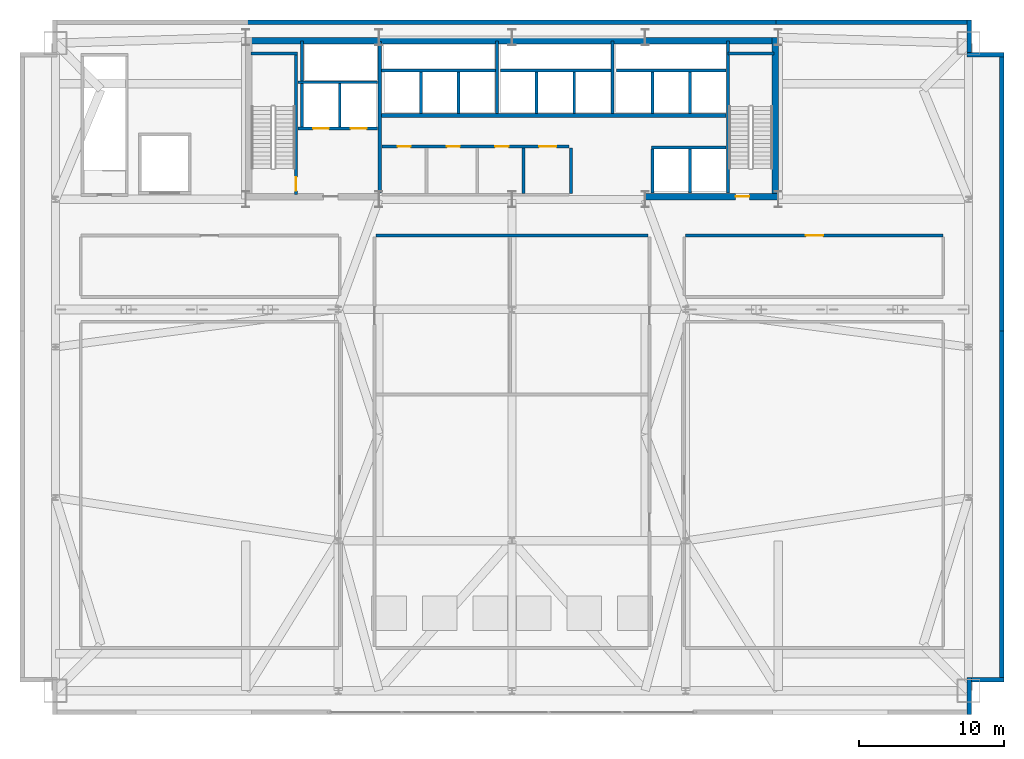
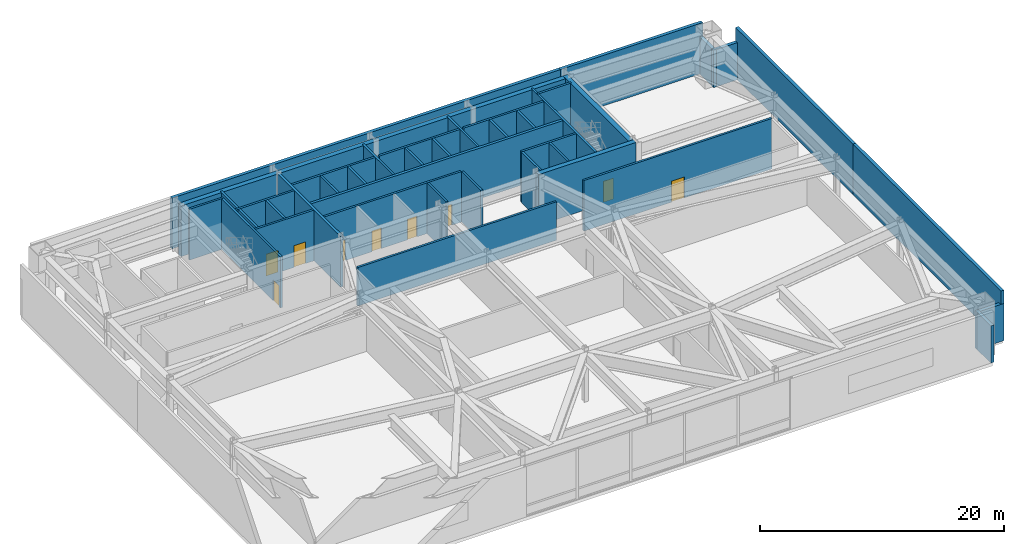
# One storey, part 13 of 16: 40 walls, 9 doors, 9 openings.
"""IFC4 building model written with IfcOpenShell, lengths in metres."""

import ifcopenshell
import ifcopenshell.guid

model = None  # the IFC model being written
_history = None  # IfcOwnerHistory: only IFC2X3 demands one
_inside = {}  # id of a spatial element -> (the spatial element, [elements in it])
_under = {}  # id of a project, library or spatial element -> (it, [spatial elements below it])
_declared = {}  # id of a project -> (the project, [libraries it declares])
_typed = {}  # id of a type object -> (the type object, [elements of that type])
_made_of = {}  # id of a material, layer set ... -> (it, [elements and type objects made of it])


def new_model(schema):
    """Start an empty IFC model of exactly this schema.

    Asked for "IFC4X3", IfcOpenShell would pick the latest addendum, in which some entities
    have other attributes; the version numbers below select the first issue.
    IFC2X3 requires an IfcOwnerHistory on every rooted entity: one is made here for all.
    """
    global model, _history
    if schema == "IFC4X3":
        model = ifcopenshell.file(schema_version=(4, 3, 0, 0))
    else:
        model = ifcopenshell.file(schema=schema)
    _inside.clear()
    _under.clear()
    _declared.clear()
    _typed.clear()
    _made_of.clear()
    _history = None
    if model.schema == "IFC2X3":
        org = make("IfcOrganization", Name="unknown")
        user = make(
            "IfcPersonAndOrganization",
            ThePerson=make("IfcPerson", FamilyName="unknown"),
            TheOrganization=org,
        )
        app = make(
            "IfcApplication",
            ApplicationDeveloper=org,
            Version="unknown",
            ApplicationFullName="unknown",
            ApplicationIdentifier="unknown",
        )
        _history = make(
            "IfcOwnerHistory",
            OwningUser=user,
            OwningApplication=app,
            ChangeAction="ADDED",
            CreationDate=0,
        )
    return model


def make(cls, **values):
    """One entity of the class cls with the attributes given. An attribute that is None is left unset."""
    return model.create_entity(
        cls, **{name: value for name, value in values.items() if value is not None}
    )


def rooted(cls, **values):
    """An entity with a GlobalId (a new one), such as an element, a storey or a relation."""
    return make(cls, GlobalId=ifcopenshell.guid.new(), OwnerHistory=_history, **values)


def si_unit(unit_type, name, prefix=None):
    """IfcSIUnit, for example si_unit("LENGTHUNIT", "METRE", prefix="MILLI")."""
    return make("IfcSIUnit", UnitType=unit_type, Prefix=prefix, Name=name)


def assignment(units):
    """IfcUnitAssignment: the units of a project."""
    return None if units is None else make("IfcUnitAssignment", Units=units)


def point(xyz):
    """IfcCartesianPoint."""
    return None if xyz is None else make("IfcCartesianPoint", Coordinates=xyz)


def direction(xyz):
    """IfcDirection."""
    return None if xyz is None else make("IfcDirection", DirectionRatios=xyz)


def frame(location, z_axis=None, x_axis=None):
    """IfcAxis2Placement3D, a coordinate frame: its origin and axes. An axis left out is left unset."""
    return make(
        "IfcAxis2Placement3D",
        Location=point(location),
        Axis=direction(z_axis),
        RefDirection=direction(x_axis),
    )


def frame_2d(location, x_axis=None):
    """IfcAxis2Placement2D, a coordinate frame in the plane: its origin and x axis."""
    return make(
        "IfcAxis2Placement2D", Location=point(location), RefDirection=direction(x_axis)
    )


def origin():
    """The frame at (0, 0, 0) with its axes left unset."""
    return frame((0.0, 0.0, 0.0))


def place(relative_to, where):
    """IfcLocalPlacement: puts the frame where relative to a parent placement (None: the world)."""
    return make(
        "IfcLocalPlacement", PlacementRelTo=relative_to, RelativePlacement=where
    )


def context(
    kind, dimensions, precision=None, world=None, true_north=None, identifier=None
):
    """IfcGeometricRepresentationContext, for example the 3D "Model" context."""
    return make(
        "IfcGeometricRepresentationContext",
        ContextIdentifier=identifier,
        ContextType=kind,
        CoordinateSpaceDimension=dimensions,
        Precision=precision,
        WorldCoordinateSystem=world,
        TrueNorth=true_north,
    )


def subcontext(parent, identifier, kind, view, scale=None):
    """IfcGeometricRepresentationSubContext, for example "Body" below "Model"."""
    return make(
        "IfcGeometricRepresentationSubContext",
        ContextIdentifier=identifier,
        ContextType=kind,
        ParentContext=parent,
        TargetScale=scale,
        TargetView=view,
    )


def project(units=None, contexts=None):
    """IfcProject with its units and contexts."""
    return rooted(
        "IfcProject",
        Name="project",
        RepresentationContexts=contexts,
        UnitsInContext=assignment(units),
    )


def spatial(cls, under=None, at=None, **own):
    """A site, building, storey or space (cls), placed at a placement, below another one or the project."""
    s = rooted(cls, ObjectPlacement=at, **own)
    if under is not None:
        _under.setdefault(under.id(), (under, []))[1].append(s)
    return s


def profile(cls, at=None, kind="AREA", **sizes):
    """A parametric profile (cls). Its sizes go by their IFC names, for example OverallWidth=200.0."""
    return make(cls, ProfileType=kind, Position=at, **sizes)


def rectangle(**sizes):
    """IfcRectangleProfileDef."""
    return profile("IfcRectangleProfileDef", **sizes)


def extrude(swept, where, along, depth):
    """IfcExtrudedAreaSolid: the profile swept, set in the frame where, extruded along a direction by depth."""
    return make(
        "IfcExtrudedAreaSolid",
        SweptArea=swept,
        Position=where,
        ExtrudedDirection=direction(along),
        Depth=depth,
    )


def shape(context_of_items, identifier, shape_type, items):
    """IfcShapeRepresentation: the items that make up one representation, for example the "Body"."""
    return make(
        "IfcShapeRepresentation",
        ContextOfItems=context_of_items,
        RepresentationIdentifier=identifier,
        RepresentationType=shape_type,
        Items=items,
    )


def source(mapping_origin, context_of_items, identifier, shape_type, items):
    """IfcRepresentationMap: a shape defined once, which mapped items show again and again."""
    return make(
        "IfcRepresentationMap",
        MappingOrigin=mapping_origin,
        MappedRepresentation=shape(context_of_items, identifier, shape_type, items),
    )


def transform(
    local_origin,
    x_axis=None,
    y_axis=None,
    z_axis=None,
    scale=None,
    scale2=None,
    scale3=None,
    uniform=True,
):
    """IfcCartesianTransformationOperator3D, or its non-uniform kind. x_axis, y_axis, z_axis: its Axis1, 2, 3."""
    if uniform:
        return make(
            "IfcCartesianTransformationOperator3D",
            Axis1=direction(x_axis),
            Axis2=direction(y_axis),
            LocalOrigin=point(local_origin),
            Scale=scale,
            Axis3=direction(z_axis),
        )
    return make(
        "IfcCartesianTransformationOperator3DnonUniform",
        Axis1=direction(x_axis),
        Axis2=direction(y_axis),
        LocalOrigin=point(local_origin),
        Scale=scale,
        Axis3=direction(z_axis),
        Scale2=scale2,
        Scale3=scale3,
    )


def mapped(mapping_source, mapping_target):
    """IfcMappedItem: shows the shape of a source again, moved by a transform."""
    return make(
        "IfcMappedItem", MappingSource=mapping_source, MappingTarget=mapping_target
    )


def material(Name=None, Category=None):
    """IfcMaterial."""
    return make("IfcMaterial", Name=Name, Category=Category)


def layer(
    of_material, thickness, ventilated=None, Name=None, Category=None, Priority=None
):
    """IfcMaterialLayer: one layer of a wall or slab, of a material (None: an air gap)."""
    return make(
        "IfcMaterialLayer",
        Material=of_material,
        LayerThickness=thickness,
        IsVentilated=ventilated,
        Name=Name,
        Category=Category,
        Priority=Priority,
    )


def layer_set(layers, Name=None):
    """IfcMaterialLayerSet."""
    return make("IfcMaterialLayerSet", MaterialLayers=layers, LayerSetName=Name)


def made_of(thing, what):
    """Note that an element or type object is made of a material, layer set ...; save() writes the relation."""
    if what is not None:
        _made_of.setdefault(what.id(), (what, []))[1].append(thing)
    return thing


def type_object(cls, material=None, **own):
    """A type object (cls), such as IfcWallType, which elements share."""
    return made_of(rooted(cls, **own), material)


def type_shapes(of_type, sources):
    """Give a type object the sources (RepresentationMaps) that its elements show as mapped items."""
    of_type.RepresentationMaps = sources


def element(
    cls,
    number,
    at=None,
    inside=None,
    cuts=None,
    type_object=None,
    material=None,
    context=None,
    identifier="Body",
    shape_type=None,
    held_by="IfcProductDefinitionShape",
    body=None,
    shapes=None,
    **own,
):
    """One element of the class cls, such as IfcWall. Its Tag is "e" and its number.

    at: its placement. inside: the storey or other place that contains it. cuts: it is an
    opening in that element (IfcRelVoidsElement). A single representation is given by context,
    identifier, shape_type and body (its items); several are given by shapes. held_by: the class
    of the entity that holds the representations. save() writes the other relations.
    """
    e = rooted(cls, Tag="e%d" % number, ObjectPlacement=at, **own)
    if body is not None:
        shapes = [shape(context, identifier, shape_type, body)]
    if shapes is not None:
        e.Representation = make(held_by, Representations=shapes)
    if inside is not None:
        _inside.setdefault(inside.id(), (inside, []))[1].append(e)
    if cuts is not None:
        rooted(
            "IfcRelVoidsElement", RelatingBuildingElement=cuts, RelatedOpeningElement=e
        )
    if type_object is not None:
        _typed.setdefault(type_object.id(), (type_object, []))[1].append(e)
    return made_of(e, material)


def fill(opening, filler):
    """IfcRelFillsElement: the door or window that sits in an opening."""
    return rooted(
        "IfcRelFillsElement",
        RelatingOpeningElement=opening,
        RelatedBuildingElement=filler,
    )


def aggregate(whole, parts):
    """IfcRelAggregates: a whole, such as a stair, and the parts it consists of."""
    return rooted("IfcRelAggregates", RelatingObject=whole, RelatedObjects=parts)


def save(model, path):
    """Write the relations noted so far, then the file.

    IfcRelAggregates (storeys below a building ...), IfcRelContainedInSpatialStructure (elements
    in a storey), IfcRelDefinesByType, IfcRelAssociatesMaterial and IfcRelDeclares: one each for
    every whole, place, type object, material and project.
    """
    for whole, parts in _under.values():
        aggregate(whole, parts)
    for where, things in _inside.values():
        rooted(
            "IfcRelContainedInSpatialStructure",
            RelatedElements=things,
            RelatingStructure=where,
        )
    for kind, things in _typed.values():
        rooted("IfcRelDefinesByType", RelatedObjects=things, RelatingType=kind)
    for what, things in _made_of.values():
        rooted("IfcRelAssociatesMaterial", RelatedObjects=things, RelatingMaterial=what)
    for by, libraries in _declared.values():
        rooted("IfcRelDeclares", RelatingContext=by, RelatedDefinitions=libraries)
    model.write(path)


model = new_model("IFC4")

# Units and contexts
model_context = context("Model", 3, precision=1e-05, world=origin(), true_north=direction((0.0, 1.0)))
body_context = subcontext(model_context, "Body", "Model", "MODEL_VIEW")
ifc_project = project(units=[si_unit("LENGTHUNIT", "METRE"), si_unit("AREAUNIT", "SQUARE_METRE"), si_unit("VOLUMEUNIT", "CUBIC_METRE"), si_unit("PLANEANGLEUNIT", "RADIAN"), si_unit("MASSUNIT", "GRAM", prefix="KILO")], contexts=[model_context])

# Site, building, storey
site_placement = place(None, origin())
site = spatial("IfcSite", under=ifc_project, at=site_placement, CompositionType="ELEMENT")
building_placement = place(site_placement, origin())
building = spatial("IfcBuilding", under=site, at=building_placement, Name="Varnel Quay Broadcast Tower", CompositionType="ELEMENT")
storey_placement = place(building_placement, frame((0.0, 0.0, 22.199951171875)))
storey = spatial("IfcBuildingStorey", under=building, at=storey_placement, Name="L04", CompositionType="ELEMENT", Elevation=22.199951171875)

# Wall, opening, door
ifc_material_1 = material(Name="Concrete CSA A23.3 C50/60", Category="concrete")
ifc_layer_1 = layer(ifc_material_1, 0.199951171875, Name="Concrete CSA A23.3 C50/60")
ifc_layer_set_1 = layer_set([ifc_layer_1], Name="Concrete CSA A23.3 C50/60")
wall_type_1 = type_object("IfcWallType", Name="Wall_CoreShaftShear200", PredefinedType="SHEAR", material=ifc_layer_set_1)
wall_1_placement = place(storey_placement, frame((19.080078125, 35.949951171875, 0.0), z_axis=(0.0, 0.0, 1.0), x_axis=(0.0, 1.0, 0.0)))
wall_1 = element("IfcWall", 1, at=wall_1_placement, inside=storey, type_object=wall_type_1, Name="L04 Stair 1 East Structural Wall", PredefinedType="SHEAR", context=body_context, shape_type="SweptSolid", body=[
    extrude(rectangle(XDim=9.650146484375, YDim=0.199951171875, at=frame_2d((4.8251953125, 0.0))), origin(), (0.0, 0.0, 1.0), 5.080078125),
])
opening_1_placement = place(wall_1_placement, frame((0.25, 0.0, 0.0)))
opening_1 = element("IfcOpeningElement", 2, at=opening_1_placement, cuts=wall_1, Name="Opening D-L04-S1", PredefinedType="OPENING", context=body_context, shape_type="SweptSolid", body=[
    extrude(rectangle(XDim=0.949951171875, YDim=2.10009765625, at=frame_2d((0.47509765625, 1.050048828125))), frame((0.0, 0.10986328125, 0.0), z_axis=(0.0, -1.0, 0.0), x_axis=(1.0, 0.0, 0.0)), (0.0, 0.0, 1.0), 0.219970703125),
])
ifc_material_2 = material(Name="Insulated Fire-Rated Hollow Steel Door", Category="steel")
door_type_1 = type_object("IfcDoorType", Name="Door_FireStair950", OperationType="NOTDEFINED", PredefinedType="DOOR", material=ifc_material_2)
shared_shape_1 = source(origin(), body_context, "Body", "SweptSolid", [
    extrude(rectangle(XDim=0.949951171875, YDim=2.10009765625, at=frame_2d((0.47509765625, 1.050048828125))), frame((0.0, 0.02490234375, 0.0), z_axis=(0.0, -1.0, 0.0), x_axis=(1.0, 0.0, 0.0)), (0.0, 0.0, 1.0), 0.050048828125),
])
type_shapes(door_type_1, [shared_shape_1])
door_1_placement = place(opening_1_placement, origin())
door_1 = element("IfcDoor", 3, at=door_1_placement, inside=storey, type_object=door_type_1, Name="L04 Stair 1 Fire Door", OperationType="SINGLE_SWING_RIGHT", OverallHeight=2.10009765625, OverallWidth=0.949951171875, PredefinedType="DOOR", context=body_context, shape_type="MappedRepresentation", body=[
    mapped(shared_shape_1, transform((0.0, 0.0, 0.0), x_axis=(1.0, 0.0, 0.0), y_axis=(0.0, 1.0, 0.0), z_axis=(0.0, 0.0, 1.0), scale=1.0)),
])
fill(opening_1, door_1)

# Wall
wall_2_placement = place(storey_placement, frame((15.949951171875, 45.679931640625, 0.0), z_axis=(0.0, 0.0, 1.0), x_axis=(1.0, 0.0, 0.0)))
element("IfcWall", 4, at=wall_2_placement, inside=storey, type_object=wall_type_1, Name="L04 Stair 1 North Structural Wall", PredefinedType="SHEAR", context=body_context, shape_type="SweptSolid", body=[
    extrude(rectangle(XDim=3.22998046875, YDim=0.199951171875, at=frame_2d((1.614990234375, 0.0))), origin(), (0.0, 0.0, 1.0), 5.080078125),
])

# Wall, openings, doors
wall_3_placement = place(storey_placement, frame((19.199951171875, 40.5, 0.0), z_axis=(0.0, 0.0, 1.0), x_axis=(1.0, 0.0, 0.0)))
wall_3 = element("IfcWall", 5, at=wall_3_placement, inside=storey, type_object=wall_type_1, Name="L04 Firefighter Lift Shaft Front Wall", PredefinedType="SHEAR", context=body_context, shape_type="SweptSolid", body=[
    extrude(rectangle(XDim=5.52001953125, YDim=0.199951171875, at=frame_2d((2.760009765625, 0.0))), origin(), (0.0, 0.0, 1.0), 5.080078125),
])
opening_2_placement = place(wall_3_placement, frame((1.050048828125, 0.0, 0.0)))
opening_2 = element("IfcOpeningElement", 6, at=opening_2_placement, cuts=wall_3, Name="Opening LD-L04-FE1", PredefinedType="OPENING", context=body_context, shape_type="SweptSolid", body=[
    extrude(rectangle(XDim=1.10009765625, YDim=2.179931640625, at=frame_2d((0.550048828125, 1.08984375))), frame((0.0, 0.10986328125, 0.0), z_axis=(0.0, -1.0, 0.0), x_axis=(1.0, 0.0, 0.0)), (0.0, 0.0, 1.0), 0.219970703125),
])
opening_3_placement = place(wall_3_placement, frame((3.64990234375, 0.0, 0.0)))
opening_3 = element("IfcOpeningElement", 7, at=opening_3_placement, cuts=wall_3, Name="Opening LD-L04-FE2", PredefinedType="OPENING", context=body_context, shape_type="SweptSolid", body=[
    extrude(rectangle(XDim=1.10009765625, YDim=2.179931640625, at=frame_2d((0.550048828125, 1.08984375))), frame((0.0, 0.10986328125, 0.0), z_axis=(0.0, -1.0, 0.0), x_axis=(1.0, 0.0, 0.0)), (0.0, 0.0, 1.0), 0.219970703125),
])
ifc_material_3 = material(Name="Brushed Bronze-Stainless Lift Car & Sliding Doors", Category="steel")
door_type_2 = type_object("IfcDoorType", Name="Door_LiftLanding1100", OperationType="SLIDING_TO_LEFT", PredefinedType="DOOR", material=ifc_material_3)
shared_shape_2 = source(origin(), body_context, "Body", "SweptSolid", [
    extrude(rectangle(XDim=1.10009765625, YDim=2.179931640625, at=frame_2d((0.550048828125, 1.08984375))), frame((0.0, 0.02490234375, 0.0), z_axis=(0.0, -1.0, 0.0), x_axis=(1.0, 0.0, 0.0)), (0.0, 0.0, 1.0), 0.050048828125),
])
type_shapes(door_type_2, [shared_shape_2])
door_2_placement = place(opening_2_placement, frame((1.10009765625, 0.0, 0.0), z_axis=(0.0, 0.0, 1.0), x_axis=(-1.0, 0.0, 0.0)))
door_2 = element("IfcDoor", 8, at=door_2_placement, inside=storey, type_object=door_type_2, Name="L04 Firefighter Lift FE-01 Landing Door", OperationType="SLIDING_TO_LEFT", OverallHeight=2.179931640625, OverallWidth=1.10009765625, PredefinedType="DOOR", context=body_context, shape_type="MappedRepresentation", body=[
    mapped(shared_shape_2, transform((0.0, 0.0, 0.0), x_axis=(1.0, 0.0, 0.0), y_axis=(0.0, 1.0, 0.0), z_axis=(0.0, 0.0, 1.0), scale=1.0)),
])
fill(opening_2, door_2)
door_3_placement = place(opening_3_placement, frame((1.10009765625, 0.0, 0.0), z_axis=(0.0, 0.0, 1.0), x_axis=(-1.0, 0.0, 0.0)))
door_3 = element("IfcDoor", 9, at=door_3_placement, inside=storey, type_object=door_type_2, Name="L04 Firefighter Lift FE-02 Landing Door", OperationType="SLIDING_TO_RIGHT", OverallHeight=2.179931640625, OverallWidth=1.10009765625, PredefinedType="DOOR", context=body_context, shape_type="MappedRepresentation", body=[
    mapped(shared_shape_2, transform((0.0, 0.0, 0.0), x_axis=(1.0, 0.0, 0.0), y_axis=(0.0, 1.0, 0.0), z_axis=(0.0, 0.0, 1.0), scale=1.0)),
])
fill(opening_3, door_3)

# Walls
wall_4_placement = place(storey_placement, frame((19.199951171875, 43.699951171875, 0.0), z_axis=(0.0, 0.0, 1.0), x_axis=(1.0, 0.0, 0.0)))
element("IfcWall", 10, at=wall_4_placement, inside=storey, type_object=wall_type_1, Name="L04 Firefighter Lift Shaft Rear Wall", PredefinedType="SHEAR", context=body_context, shape_type="SweptSolid", body=[
    extrude(rectangle(XDim=5.52001953125, YDim=0.199951171875, at=frame_2d((2.760009765625, 0.0))), origin(), (0.0, 0.0, 1.0), 5.080078125),
])
wall_5_placement = place(storey_placement, frame((22.10009765625, 40.60009765625, 0.0), z_axis=(0.0, 0.0, 1.0), x_axis=(0.0, 1.0, 0.0)))
element("IfcWall", 11, at=wall_5_placement, inside=storey, type_object=wall_type_1, Name="L04 Firefighter Lift Shaft Divider", PredefinedType="SHEAR", context=body_context, shape_type="SweptSolid", body=[
    extrude(rectangle(XDim=3.0, YDim=0.199951171875, at=frame_2d((1.5, 0.0))), origin(), (0.0, 0.0, 1.0), 5.080078125),
])
wall_6_placement = place(storey_placement, frame((19.5, 40.60009765625, 0.0), z_axis=(0.0, 0.0, 1.0), x_axis=(0.0, 1.0, 0.0)))
element("IfcWall", 12, at=wall_6_placement, inside=storey, type_object=wall_type_1, Name="L04 Firefighter Lift Shaft West Wall", PredefinedType="SHEAR", context=body_context, shape_type="SweptSolid", body=[
    extrude(rectangle(XDim=5.949951171875, YDim=0.199951171875, at=frame_2d((2.97509765625, 0.0))), origin(), (0.0, 0.0, 1.0), 5.080078125),
])
wall_7_placement = place(storey_placement, frame((48.919921875, 36.050048828125, 0.0), z_axis=(0.0, 0.0, 1.0), x_axis=(0.0, 1.0, 0.0)))
element("IfcWall", 13, at=wall_7_placement, inside=storey, type_object=wall_type_1, Name="L04 Stair 2 West Structural Wall", PredefinedType="SHEAR", context=body_context, shape_type="SweptSolid", body=[
    extrude(rectangle(XDim=10.5, YDim=0.199951171875, at=frame_2d((5.25, 0.0))), origin(), (0.0, 0.0, 1.0), 5.080078125),
])
wall_8_placement = place(storey_placement, frame((48.919921875, 45.679931640625, 0.0), z_axis=(0.0, 0.0, 1.0), x_axis=(1.0, 0.0, 0.0)))
element("IfcWall", 14, at=wall_8_placement, inside=storey, type_object=wall_type_1, Name="L04 Stair 2 North Structural Wall", PredefinedType="SHEAR", context=body_context, shape_type="SweptSolid", body=[
    extrude(rectangle(XDim=3.18017578125, YDim=0.199951171875, at=frame_2d((1.590087890625, 0.0))), origin(), (0.0, 0.0, 1.0), 5.080078125),
])
wall_9_placement = place(storey_placement, frame((24.97998046875, 44.5, 0.0), z_axis=(0.0, 0.0, 1.0), x_axis=(1.0, 0.0, 0.0)))
element("IfcWall", 15, at=wall_9_placement, inside=storey, type_object=wall_type_1, Name="L04 Low-Rise Lift Shaft Rear Wall", PredefinedType="SHEAR", context=body_context, shape_type="SweptSolid", body=[
    extrude(rectangle(XDim=7.8701171875, YDim=0.199951171875, at=frame_2d((3.93505859375, 0.0))), origin(), (0.0, 0.0, 1.0), 5.080078125),
])
for number, where, z_axis, x_axis, name in (
    (16, (27.699951171875, 41.530029296875, 0.0), (0.0, 0.0, 1.0), (0.0, 1.0, 0.0), "L04 Low-Rise Lift Shaft Divider 1"),
    (17, (30.300048828125, 41.530029296875, 0.0), (0.0, 0.0, 1.0), (0.0, 1.0, 0.0), "L04 Low-Rise Lift Shaft Divider 2"),
):
    element("IfcWall", number, at=place(storey_placement, frame(where, z_axis=z_axis, x_axis=x_axis)), inside=storey, type_object=wall_type_1, Name=name, PredefinedType="SHEAR", context=body_context, shape_type="SweptSolid", body=[
        extrude(rectangle(XDim=2.869873046875, YDim=0.199951171875, at=frame_2d((1.43505859375, 0.0))), origin(), (0.0, 0.0, 1.0), 5.080078125),
    ])
wall_10_placement = place(storey_placement, frame((32.949951171875, 41.530029296875, 0.0), z_axis=(0.0, 0.0, 1.0), x_axis=(0.0, 1.0, 0.0)))
element("IfcWall", 18, at=wall_10_placement, inside=storey, type_object=wall_type_1, Name="L04 Low-Rise Lift Shaft Divider 3", PredefinedType="SHEAR", context=body_context, shape_type="SweptSolid", body=[
    extrude(rectangle(XDim=5.02001953125, YDim=0.199951171875, at=frame_2d((2.510009765625, 0.0))), origin(), (0.0, 0.0, 1.0), 5.080078125),
])
wall_11_placement = place(storey_placement, frame((33.219970703125, 44.5, 0.0), z_axis=(0.0, 0.0, 1.0), x_axis=(1.0, 0.0, 0.0)))
element("IfcWall", 19, at=wall_11_placement, inside=storey, type_object=wall_type_1, Name="L04 Mid-Rise Lift Shaft Rear Wall", PredefinedType="SHEAR", context=body_context, shape_type="SweptSolid", body=[
    extrude(rectangle(XDim=7.630126953125, YDim=0.199951171875, at=frame_2d((3.81494140625, 0.0))), origin(), (0.0, 0.0, 1.0), 5.080078125),
])
for number, where, z_axis, x_axis, name in (
    (20, (35.699951171875, 41.530029296875, 0.0), (0.0, 0.0, 1.0), (0.0, 1.0, 0.0), "L04 Mid-Rise Lift Shaft Divider 2"),
    (21, (38.300048828125, 41.530029296875, 0.0), (0.0, 0.0, 1.0), (0.0, 1.0, 0.0), "L04 Mid-Rise Lift Shaft Divider 3"),
):
    element("IfcWall", number, at=place(storey_placement, frame(where, z_axis=z_axis, x_axis=x_axis)), inside=storey, type_object=wall_type_1, Name=name, PredefinedType="SHEAR", context=body_context, shape_type="SweptSolid", body=[
        extrude(rectangle(XDim=2.869873046875, YDim=0.199951171875, at=frame_2d((1.43505859375, 0.0))), origin(), (0.0, 0.0, 1.0), 5.080078125),
    ])
wall_12_placement = place(storey_placement, frame((40.949951171875, 41.530029296875, 0.0), z_axis=(0.0, 0.0, 1.0), x_axis=(0.0, 1.0, 0.0)))
element("IfcWall", 22, at=wall_12_placement, inside=storey, type_object=wall_type_1, Name="L04 Mid-Rise Lift Shaft Divider 4", PredefinedType="SHEAR", context=body_context, shape_type="SweptSolid", body=[
    extrude(rectangle(XDim=5.02001953125, YDim=0.199951171875, at=frame_2d((2.510009765625, 0.0))), origin(), (0.0, 0.0, 1.0), 5.080078125),
])
wall_13_placement = place(storey_placement, frame((41.219970703125, 44.5, 0.0), z_axis=(0.0, 0.0, 1.0), x_axis=(1.0, 0.0, 0.0)))
element("IfcWall", 23, at=wall_13_placement, inside=storey, type_object=wall_type_1, Name="L04 High-Rise Lift Shaft Rear Wall", PredefinedType="SHEAR", context=body_context, shape_type="SweptSolid", body=[
    extrude(rectangle(XDim=7.580078125, YDim=0.199951171875, at=frame_2d((3.7900390625, 0.0))), origin(), (0.0, 0.0, 1.0), 5.080078125),
])
for number, where, z_axis, x_axis, name in (
    (24, (43.699951171875, 41.530029296875, 0.0), (0.0, 0.0, 1.0), (0.0, 1.0, 0.0), "L04 High-Rise Lift Shaft Divider 2"),
    (25, (46.300048828125, 41.530029296875, 0.0), (0.0, 0.0, 1.0), (0.0, 1.0, 0.0), "L04 High-Rise Lift Shaft Divider 3"),
):
    element("IfcWall", number, at=place(storey_placement, frame(where, z_axis=z_axis, x_axis=x_axis)), inside=storey, type_object=wall_type_1, Name=name, PredefinedType="SHEAR", context=body_context, shape_type="SweptSolid", body=[
        extrude(rectangle(XDim=2.869873046875, YDim=0.199951171875, at=frame_2d((1.43505859375, 0.0))), origin(), (0.0, 0.0, 1.0), 5.080078125),
    ])
for number, where, z_axis, x_axis, name in (
    (26, (43.699951171875, 36.050048828125, 0.0), (0.0, 0.0, 1.0), (0.0, 1.0, 0.0), "L04 Express Lift Shaft West Wall"),
    (27, (46.300048828125, 36.050048828125, 0.0), (0.0, 0.0, 1.0), (0.0, 1.0, 0.0), "L04 Express Lift Shaft Divider"),
):
    element("IfcWall", number, at=place(storey_placement, frame(where, z_axis=z_axis, x_axis=x_axis)), inside=storey, type_object=wall_type_1, Name=name, PredefinedType="SHEAR", context=body_context, shape_type="SweptSolid", body=[
        extrude(rectangle(XDim=3.050048828125, YDim=0.199951171875, at=frame_2d((1.52490234375, 0.0))), origin(), (0.0, 0.0, 1.0), 5.080078125),
    ])
wall_14_placement = place(storey_placement, frame((43.64990234375, 39.199951171875, 0.0), z_axis=(0.0, 0.0, 1.0), x_axis=(1.0, 0.0, 0.0)))
element("IfcWall", 28, at=wall_14_placement, inside=storey, type_object=wall_type_1, Name="L04 Express Lift Shaft North Front Wall", PredefinedType="SHEAR", context=body_context, shape_type="SweptSolid", body=[
    extrude(rectangle(XDim=5.150146484375, YDim=0.199951171875, at=frame_2d((2.5751953125, 0.0))), origin(), (0.0, 0.0, 1.0), 5.080078125),
])
ifc_layer_2 = layer(ifc_material_1, 0.25, Name="Concrete CSA A23.3 C50/60")
ifc_layer_set_2 = layer_set([ifc_layer_2], Name="Concrete CSA A23.3 C50/60")
wall_type_2 = type_object("IfcWallType", Name="Wall_CoreShaftShear250", PredefinedType="SHEAR", material=ifc_layer_set_2)
wall_15_placement = place(storey_placement, frame((24.85009765625, 36.050048828125, 0.0), z_axis=(0.0, 0.0, 1.0), x_axis=(0.0, 1.0, 0.0)))
element("IfcWall", 29, at=wall_15_placement, inside=storey, type_object=wall_type_2, Name="L04 Firefighting Lobby East Structural Wall", PredefinedType="SHEAR", context=body_context, shape_type="SweptSolid", body=[
    extrude(rectangle(XDim=10.449951171875, YDim=0.25, at=frame_2d((5.22509765625, 0.0))), origin(), (0.0, 0.0, 1.0), 5.080078125),
])
wall_16_placement = place(storey_placement, frame((24.97998046875, 41.39990234375, 0.0), z_axis=(0.0, 0.0, 1.0), x_axis=(1.0, 0.0, 0.0)))
element("IfcWall", 30, at=wall_16_placement, inside=storey, type_object=wall_type_2, Name="L04 North Lift Bank & Reclaimed Suite Wall", PredefinedType="SHEAR", context=body_context, shape_type="SweptSolid", body=[
    extrude(rectangle(XDim=23.820068359375, YDim=0.25, at=frame_2d((11.91015625, 0.0))), origin(), (0.0, 0.0, 1.0), 5.080078125),
])
ifc_material_4 = material(Name="Concrete CSA A23.3 C60/75", Category="concrete")
ifc_layer_3 = layer(ifc_material_4, 0.449951171875, Name="Concrete CSA A23.3 C60/75")
ifc_layer_set_3 = layer_set([ifc_layer_3], Name="Concrete CSA A23.3 C60/75")
wall_type_3 = type_object("IfcWallType", Name="Wall_CoreShearInt450", PredefinedType="SHEAR", material=ifc_layer_set_3)
wall_17_placement = place(storey_placement, frame((15.60009765625, 46.574951171875, 0.0), z_axis=(0.0, 0.0, 1.0), x_axis=(1.0, 0.0, 0.0)))
element("IfcWall", 31, at=wall_17_placement, inside=storey, type_object=wall_type_3, Name="L04 North Core Shear Wall", PredefinedType="SHEAR", context=body_context, shape_type="SweptSolid", body=[
    extrude(rectangle(XDim=36.7998046875, YDim=0.449951171875, at=frame_2d((18.39990234375, 0.0))), origin(), (0.0, 0.0, 1.0), 5.080078125),
])
wall_18_placement = place(storey_placement, frame((52.205078125, 35.570068359375, 0.0), z_axis=(0.0, 0.0, 1.0), x_axis=(0.0, 1.0, 0.0)))
element("IfcWall", 32, at=wall_18_placement, inside=storey, type_object=wall_type_3, Name="L04 East Core Shear Wall", PredefinedType="SHEAR", context=body_context, shape_type="SweptSolid", body=[
    extrude(rectangle(XDim=11.22998046875, YDim=0.449951171875, at=frame_2d((5.614990234375, 0.0))), origin(), (0.0, 0.0, 1.0), 5.080078125),
])

# Wall, opening, door
wall_19_placement = place(storey_placement, frame((43.199951171875, 35.794921875, 0.0), z_axis=(0.0, 0.0, 1.0), x_axis=(1.0, 0.0, 0.0)))
wall_19 = element("IfcWall", 33, at=wall_19_placement, inside=storey, type_object=wall_type_3, Name="L04 South-East Core Shear Wall", PredefinedType="SHEAR", context=body_context, shape_type="SweptSolid", body=[
    extrude(rectangle(XDim=9.22998046875, YDim=0.449951171875, at=frame_2d((4.614990234375, 0.0))), origin(), (0.0, 0.0, 1.0), 5.080078125),
])
opening_4_placement = place(wall_19_placement, frame((6.25, 0.0, 0.0)))
opening_4 = element("IfcOpeningElement", 34, at=opening_4_placement, cuts=wall_19, Name="Opening D-L04-S2", PredefinedType="OPENING", context=body_context, shape_type="SweptSolid", body=[
    extrude(rectangle(XDim=0.949951171875, YDim=2.10009765625, at=frame_2d((0.47509765625, 1.050048828125))), frame((0.0, 0.23486328125, 0.0), z_axis=(0.0, -1.0, 0.0), x_axis=(1.0, 0.0, 0.0)), (0.0, 0.0, 1.0), 0.469970703125),
])
door_4_placement = place(opening_4_placement, origin())
door_4 = element("IfcDoor", 35, at=door_4_placement, inside=storey, type_object=door_type_1, Name="L04 Stair 2 Fire Door", OperationType="SINGLE_SWING_RIGHT", OverallHeight=2.10009765625, OverallWidth=0.949951171875, PredefinedType="DOOR", context=body_context, shape_type="MappedRepresentation", body=[
    mapped(shared_shape_1, transform((0.0, 0.0, 0.0), x_axis=(1.0, 0.0, 0.0), y_axis=(0.0, 1.0, 0.0), z_axis=(0.0, 0.0, 1.0), scale=1.0)),
])
fill(opening_4, door_4)

# Walls
ifc_material_5 = material(Name="Precast Architectural Concrete C40/50", Category="concrete")
ifc_layer_4 = layer(ifc_material_5, 0.300048828125, Name="Precast Architectural Concrete C40/50")
ifc_layer_set_4 = layer_set([ifc_layer_4], Name="Precast Architectural Concrete C40/50")
wall_type_4 = type_object("IfcWallType", Name="Wall_ExtPodium300", PredefinedType="SOLIDWALL", material=ifc_layer_set_4)
wall_20_placement = place(storey_placement, frame((52.25, 47.85009765625, 0.0), z_axis=(0.0, 0.0, 1.0), x_axis=(1.0, 0.0, 0.0)))
element("IfcWall", 36, at=wall_20_placement, inside=storey, type_object=wall_type_4, Name="L04 North Podium Exterior Wall NE", PredefinedType="SOLIDWALL", context=body_context, shape_type="SweptSolid", body=[
    extrude(rectangle(XDim=13.5, YDim=0.300048828125, at=frame_2d((6.75, 0.0))), origin(), (0.0, 0.0, 1.0), 5.06005859375),
])
wall_21_placement = place(storey_placement, frame((15.5, 47.85009765625, 0.0), z_axis=(0.0, 0.0, 1.0), x_axis=(1.0, 0.0, 0.0)))
element("IfcWall", 37, at=wall_21_placement, inside=storey, type_object=wall_type_4, Name="L04 North Core Podium Cladding Wall", PredefinedType="SOLIDWALL", context=body_context, shape_type="SweptSolid", body=[
    extrude(rectangle(XDim=37.0, YDim=0.300048828125, at=frame_2d((18.5, 0.0))), origin(), (0.0, 0.0, 1.0), 5.06005859375),
])
wall_22_placement = place(storey_placement, frame((67.85009765625, 2.25, 0.0), z_axis=(0.0, 0.0, 1.0), x_axis=(0.0, 1.0, 0.0)))
element("IfcWall", 38, at=wall_22_placement, inside=storey, type_object=wall_type_4, Name="L04 Podium Acoustic Exterior Wall E1", PredefinedType="SOLIDWALL", context=body_context, shape_type="SweptSolid", body=[
    extrude(rectangle(XDim=24.35009765625, YDim=0.300048828125, at=frame_2d((12.175048828125, 0.0))), origin(), (0.0, 0.0, 1.0), 5.06005859375),
])
wall_23_placement = place(storey_placement, frame((67.85009765625, 26.5, 0.0), z_axis=(0.0, 0.0, 1.0), x_axis=(0.0, 1.0, 0.0)))
element("IfcWall", 39, at=wall_23_placement, inside=storey, type_object=wall_type_4, Name="L04 Podium Acoustic Exterior Wall E2", PredefinedType="SOLIDWALL", context=body_context, shape_type="SweptSolid", body=[
    extrude(rectangle(XDim=19.25, YDim=0.300048828125, at=frame_2d((9.625, 0.0))), origin(), (0.0, 0.0, 1.0), 5.06005859375),
])
for number, where, z_axis, x_axis, name in (
    (40, (65.60009765625, 0.0, 0.0), (0.0, 0.0, 1.0), (0.0, 1.0, 0.0), "L04 Podium Acoustic Exterior Wall NSE1"),
    (41, (65.449951171875, 2.39990234375, 0.0), (0.0, 0.0, 1.0), (1.0, 0.0, 0.0), "L04 Podium Acoustic Exterior Wall NSE2"),
    (42, (65.449951171875, 45.60009765625, 0.0), (0.0, 0.0, 1.0), (1.0, 0.0, 0.0), "L04 Podium Acoustic Exterior Wall NNE1"),
    (43, (65.60009765625, 45.449951171875, 0.0), (0.0, 0.0, 1.0), (0.0, 1.0, 0.0), "L04 Podium Acoustic Exterior Wall NNE2"),
):
    element("IfcWall", number, at=place(storey_placement, frame(where, z_axis=z_axis, x_axis=x_axis)), inside=storey, type_object=wall_type_4, Name=name, PredefinedType="SOLIDWALL", context=body_context, shape_type="SweptSolid", body=[
        extrude(rectangle(XDim=2.550048828125, YDim=0.300048828125, at=frame_2d((1.27490234375, 0.0))), origin(), (0.0, 0.0, 1.0), 3.72509765625),
    ])

# Wall, openings, doors
ifc_material_6 = material(Name="Concrete Blockwork Fire Enclosure C40/50", Category="masonry")
ifc_layer_5 = layer(ifc_material_6, 0.199951171875, Name="Concrete Blockwork Fire Enclosure C40/50")
ifc_layer_set_5 = layer_set([ifc_layer_5], Name="Concrete Blockwork Fire Enclosure C40/50")
wall_type_5 = type_object("IfcWallType", Name="Wall_FireShaft200", PredefinedType="SOLIDWALL", material=ifc_layer_set_5)
wall_24_placement = place(storey_placement, frame((25.0, 39.25, 0.0), z_axis=(0.0, 0.0, 1.0), x_axis=(1.0, 0.0, 0.0)))
wall_24 = element("IfcWall", 44, at=wall_24_placement, inside=storey, type_object=wall_type_5, Name="L04 Plant Floor Universal Washroom Partition 3", PredefinedType="SOLIDWALL", context=body_context, shape_type="SweptSolid", body=[
    extrude(rectangle(XDim=12.949951171875, YDim=0.199951171875, at=frame_2d((6.47509765625, 0.0))), origin(), (0.0, 0.0, 1.0), 5.06005859375),
])
opening_5_placement = place(wall_24_placement, frame((1.10009765625, 0.0, 0.0)))
opening_5 = element("IfcOpeningElement", 45, at=opening_5_placement, cuts=wall_24, Name="Opening D-L04-01", PredefinedType="OPENING", context=body_context, shape_type="SweptSolid", body=[
    extrude(rectangle(XDim=0.89990234375, YDim=2.06005859375, at=frame_2d((0.449951171875, 1.030029296875))), frame((0.0, 0.10986328125, 0.0), z_axis=(0.0, -1.0, 0.0), x_axis=(1.0, 0.0, 0.0)), (0.0, 0.0, 1.0), 0.219970703125),
])
opening_6_placement = place(wall_24_placement, frame((4.5, 0.0, 0.0)))
opening_6 = element("IfcOpeningElement", 46, at=opening_6_placement, cuts=wall_24, Name="Opening D-L04-02", PredefinedType="OPENING", context=body_context, shape_type="SweptSolid", body=[
    extrude(rectangle(XDim=0.89990234375, YDim=2.06005859375, at=frame_2d((0.449951171875, 1.030029296875))), frame((0.0, 0.10986328125, 0.0), z_axis=(0.0, -1.0, 0.0), x_axis=(1.0, 0.0, 0.0)), (0.0, 0.0, 1.0), 0.219970703125),
])
opening_7_placement = place(wall_24_placement, frame((7.840087890625, 0.0, 0.0)))
opening_7 = element("IfcOpeningElement", 47, at=opening_7_placement, cuts=wall_24, Name="Opening D-L04-03", PredefinedType="OPENING", context=body_context, shape_type="SweptSolid", body=[
    extrude(rectangle(XDim=0.919921875, YDim=2.080078125, at=frame_2d((0.4599609375, 1.0400390625))), frame((0.0, 0.10986328125, 0.0), z_axis=(0.0, -1.0, 0.0), x_axis=(1.0, 0.0, 0.0)), (0.0, 0.0, 1.0), 0.219970703125),
])
opening_8_placement = place(wall_24_placement, frame((10.875, 0.0, 0.0)))
opening_8 = element("IfcOpeningElement", 48, at=opening_8_placement, cuts=wall_24, Name="Opening D-L04-04", PredefinedType="OPENING", context=body_context, shape_type="SweptSolid", body=[
    extrude(rectangle(XDim=1.199951171875, YDim=2.10009765625, at=frame_2d((0.60009765625, 1.050048828125))), frame((0.0, 0.10986328125, 0.0), z_axis=(0.0, -1.0, 0.0), x_axis=(1.0, 0.0, 0.0)), (0.0, 0.0, 1.0), 0.219970703125),
])
ifc_material_7 = material(Name="Solid-Core Fire-Rated Acoustic Oak Veneer Door", Category="wood")
door_type_3 = type_object("IfcDoorType", Name="Door_Washroom900", OperationType="NOTDEFINED", PredefinedType="DOOR", material=ifc_material_7)
shared_shape_3 = source(origin(), body_context, "Body", "SweptSolid", [
    extrude(rectangle(XDim=0.89990234375, YDim=2.06005859375, at=frame_2d((0.449951171875, 1.030029296875))), frame((0.0, 0.02490234375, 0.0), z_axis=(0.0, -1.0, 0.0), x_axis=(1.0, 0.0, 0.0)), (0.0, 0.0, 1.0), 0.050048828125),
])
type_shapes(door_type_3, [shared_shape_3])
door_5_placement = place(opening_5_placement, frame((0.89990234375, 0.0, 0.0), z_axis=(0.0, 0.0, 1.0), x_axis=(-1.0, 0.0, 0.0)))
door_5 = element("IfcDoor", 49, at=door_5_placement, inside=storey, type_object=door_type_3, Name="L04 Plant Floor Universal Washroom Door D-L04-01", OperationType="SINGLE_SWING_RIGHT", OverallHeight=2.06005859375, OverallWidth=0.89990234375, PredefinedType="DOOR", context=body_context, shape_type="MappedRepresentation", body=[
    mapped(shared_shape_3, transform((0.0, 0.0, 0.0), x_axis=(1.0, 0.0, 0.0), y_axis=(0.0, 1.0, 0.0), z_axis=(0.0, 0.0, 1.0), scale=1.0)),
])
fill(opening_5, door_5)
door_6_placement = place(opening_6_placement, frame((0.89990234375, 0.0, 0.0), z_axis=(0.0, 0.0, 1.0), x_axis=(-1.0, 0.0, 0.0)))
door_6 = element("IfcDoor", 50, at=door_6_placement, inside=storey, type_object=door_type_3, Name="L04 Mechanical Staff Washroom Block Door D-L04-02", OperationType="SINGLE_SWING_LEFT", OverallHeight=2.06005859375, OverallWidth=0.89990234375, PredefinedType="DOOR", context=body_context, shape_type="MappedRepresentation", body=[
    mapped(shared_shape_3, transform((0.0, 0.0, 0.0), x_axis=(1.0, 0.0, 0.0), y_axis=(0.0, 1.0, 0.0), z_axis=(0.0, 0.0, 1.0), scale=1.0)),
])
fill(opening_6, door_6)
door_type_4 = type_object("IfcDoorType", Name="Door_Plant1200", OperationType="NOTDEFINED", PredefinedType="DOOR", material=ifc_material_2)
shared_shape_4 = source(origin(), body_context, "Body", "SweptSolid", [
    extrude(rectangle(XDim=1.199951171875, YDim=2.10009765625, at=frame_2d((0.60009765625, 1.050048828125))), frame((0.0, 0.02490234375, 0.0), z_axis=(0.0, -1.0, 0.0), x_axis=(1.0, 0.0, 0.0)), (0.0, 0.0, 1.0), 0.050048828125),
])
type_shapes(door_type_4, [shared_shape_4])
door_7_placement = place(opening_8_placement, origin())
door_7 = element("IfcDoor", 51, at=door_7_placement, inside=storey, type_object=door_type_4, Name="L04 Mechanical Lighting Switchroom Door D-L04-04", OperationType="SINGLE_SWING_LEFT", OverallHeight=2.10009765625, OverallWidth=1.199951171875, PredefinedType="DOOR", context=body_context, shape_type="MappedRepresentation", body=[
    mapped(shared_shape_4, transform((0.0, 0.0, 0.0), x_axis=(1.0, 0.0, 0.0), y_axis=(0.0, 1.0, 0.0), z_axis=(0.0, 0.0, 1.0), scale=1.0)),
])
fill(opening_8, door_7)
door_type_5 = type_object("IfcDoorType", Name="Door_Office920", OperationType="NOTDEFINED", PredefinedType="DOOR", material=ifc_material_7)
shared_shape_5 = source(origin(), body_context, "Body", "SweptSolid", [
    extrude(rectangle(XDim=0.919921875, YDim=2.080078125, at=frame_2d((0.4599609375, 1.0400390625))), frame((0.0, 0.02490234375, 0.0), z_axis=(0.0, -1.0, 0.0), x_axis=(1.0, 0.0, 0.0)), (0.0, 0.0, 1.0), 0.050048828125),
])
type_shapes(door_type_5, [shared_shape_5])
door_8_placement = place(opening_7_placement, frame((0.919921875, 0.0, 0.0), z_axis=(0.0, 0.0, 1.0), x_axis=(-1.0, 0.0, 0.0)))
door_8 = element("IfcDoor", 52, at=door_8_placement, inside=storey, type_object=door_type_5, Name="L04 Refuge First-Aid & Quiet Room Door D-L04-03", OperationType="SINGLE_SWING_RIGHT", OverallHeight=2.080078125, OverallWidth=0.919921875, PredefinedType="DOOR", context=body_context, shape_type="MappedRepresentation", body=[
    mapped(shared_shape_5, transform((0.0, 0.0, 0.0), x_axis=(1.0, 0.0, 0.0), y_axis=(0.0, 1.0, 0.0), z_axis=(0.0, 0.0, 1.0), scale=1.0)),
])
fill(opening_7, door_8)

# Walls
for number, where, z_axis, x_axis, name in (
    (53, (34.800048828125, 36.02490234375, 0.0), (0.0, 0.0, 1.0), (0.0, 1.0, 0.0), "L04 Refuge First-Aid & Quiet Room Partition 5"),
    (54, (38.074951171875, 36.02490234375, 0.0), (0.0, 0.0, 1.0), (0.0, 1.0, 0.0), "L04 Mechanical Lighting Switchroom Partition 6"),
):
    element("IfcWall", number, at=place(storey_placement, frame(where, z_axis=z_axis, x_axis=x_axis)), inside=storey, type_object=wall_type_5, Name=name, PredefinedType="SOLIDWALL", context=body_context, shape_type="SweptSolid", body=[
        extrude(rectangle(XDim=3.125, YDim=0.199951171875, at=frame_2d((1.5625, 0.0))), origin(), (0.0, 0.0, 1.0), 5.06005859375),
    ])
wall_25_placement = place(storey_placement, frame((24.60009765625, 33.10009765625, 0.0), z_axis=(0.0, 0.0, 1.0), x_axis=(1.0, 0.0, 0.0)))
element("IfcWall", 55, at=wall_25_placement, inside=storey, type_object=wall_type_5, Name="L04 L04 West Protected Refuge Area Partition 9", PredefinedType="SOLIDWALL", context=body_context, shape_type="SweptSolid", body=[
    extrude(rectangle(XDim=18.7998046875, YDim=0.199951171875, at=frame_2d((9.39990234375, 0.0))), origin(), (0.0, 0.0, 1.0), 3.85498046875),
])

# Wall, opening, door
wall_26_placement = place(storey_placement, frame((46.0, 33.10009765625, 0.0), z_axis=(0.0, 0.0, 1.0), x_axis=(1.0, 0.0, 0.0)))
wall_26 = element("IfcWall", 56, at=wall_26_placement, inside=storey, type_object=wall_type_5, Name="L04 L04 North-East Switchgear Plant Room Partition 27", PredefinedType="SOLIDWALL", context=body_context, shape_type="SweptSolid", body=[
    extrude(rectangle(XDim=17.800048828125, YDim=0.199951171875, at=frame_2d((8.89990234375, 0.0))), origin(), (0.0, 0.0, 1.0), 5.06005859375),
])
opening_9_placement = place(wall_26_placement, frame((8.300048828125, 0.0, 0.0)))
opening_9 = element("IfcOpeningElement", 57, at=opening_9_placement, cuts=wall_26, Name="Opening D-L04-11", PredefinedType="OPENING", context=body_context, shape_type="SweptSolid", body=[
    extrude(rectangle(XDim=1.199951171875, YDim=2.10009765625, at=frame_2d((0.60009765625, 1.050048828125))), frame((0.0, 0.10986328125, 0.0), z_axis=(0.0, -1.0, 0.0), x_axis=(1.0, 0.0, 0.0)), (0.0, 0.0, 1.0), 0.219970703125),
])
door_9_placement = place(opening_9_placement, origin())
door_9 = element("IfcDoor", 58, at=door_9_placement, inside=storey, type_object=door_type_4, Name="L04 L04 North-East Switchgear Plant Room Door D-L04-11", OperationType="SINGLE_SWING_RIGHT", OverallHeight=2.10009765625, OverallWidth=1.199951171875, PredefinedType="DOOR", context=body_context, shape_type="MappedRepresentation", body=[
    mapped(shared_shape_4, transform((0.0, 0.0, 0.0), x_axis=(1.0, 0.0, 0.0), y_axis=(0.0, 1.0, 0.0), z_axis=(0.0, 0.0, 1.0), scale=1.0)),
])
fill(opening_9, door_9)

save(model, "model.ifc")
